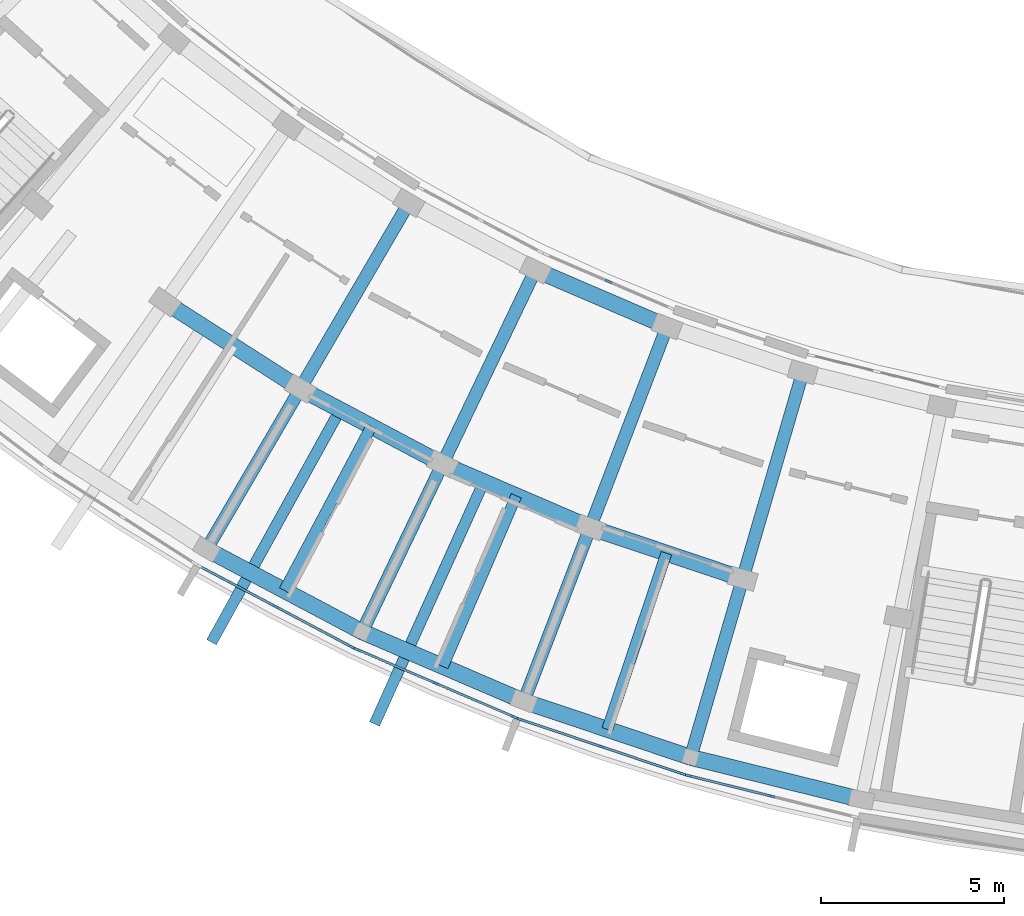
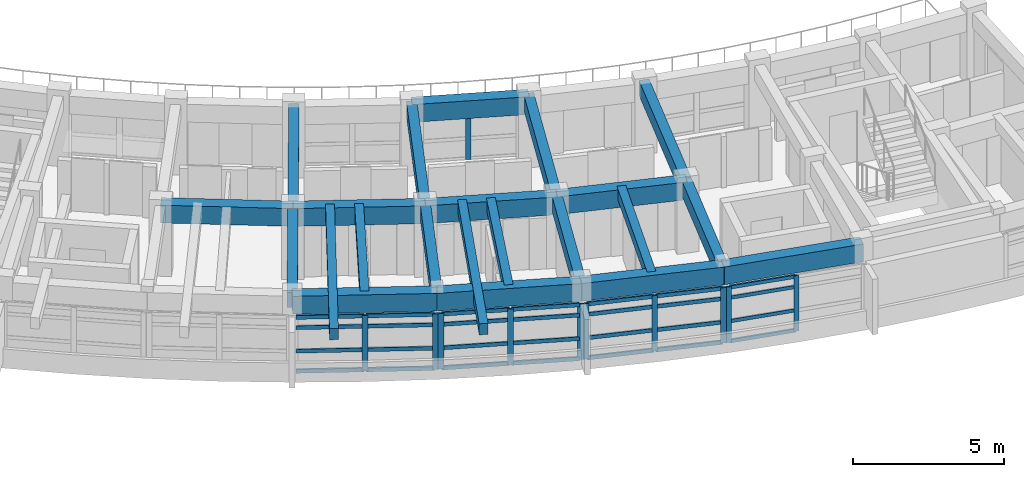
# One storey, part 11 of 54: 39 members, 22 beams, 5 elements without a shape of their own.
"""IFC4 building model written with IfcOpenShell, lengths in metres."""

import ifcopenshell
import ifcopenshell.guid

model = None  # the IFC model being written
_history = None  # IfcOwnerHistory: only IFC2X3 demands one
_inside = {}  # id of a spatial element -> (the spatial element, [elements in it])
_under = {}  # id of a project, library or spatial element -> (it, [spatial elements below it])
_declared = {}  # id of a project -> (the project, [libraries it declares])
_typed = {}  # id of a type object -> (the type object, [elements of that type])
_made_of = {}  # id of a material, layer set ... -> (it, [elements and type objects made of it])


def new_model(schema):
    """Start an empty IFC model of exactly this schema.

    Asked for "IFC4X3", IfcOpenShell would pick the latest addendum, in which some entities
    have other attributes; the version numbers below select the first issue.
    IFC2X3 requires an IfcOwnerHistory on every rooted entity: one is made here for all.
    """
    global model, _history
    if schema == "IFC4X3":
        model = ifcopenshell.file(schema_version=(4, 3, 0, 0))
    else:
        model = ifcopenshell.file(schema=schema)
    _inside.clear()
    _under.clear()
    _declared.clear()
    _typed.clear()
    _made_of.clear()
    _history = None
    if model.schema == "IFC2X3":
        org = make("IfcOrganization", Name="unknown")
        user = make(
            "IfcPersonAndOrganization",
            ThePerson=make("IfcPerson", FamilyName="unknown"),
            TheOrganization=org,
        )
        app = make(
            "IfcApplication",
            ApplicationDeveloper=org,
            Version="unknown",
            ApplicationFullName="unknown",
            ApplicationIdentifier="unknown",
        )
        _history = make(
            "IfcOwnerHistory",
            OwningUser=user,
            OwningApplication=app,
            ChangeAction="ADDED",
            CreationDate=0,
        )
    return model


def make(cls, **values):
    """One entity of the class cls with the attributes given. An attribute that is None is left unset."""
    return model.create_entity(
        cls, **{name: value for name, value in values.items() if value is not None}
    )


def rooted(cls, **values):
    """An entity with a GlobalId (a new one), such as an element, a storey or a relation."""
    return make(cls, GlobalId=ifcopenshell.guid.new(), OwnerHistory=_history, **values)


def si_unit(unit_type, name, prefix=None):
    """IfcSIUnit, for example si_unit("LENGTHUNIT", "METRE", prefix="MILLI")."""
    return make("IfcSIUnit", UnitType=unit_type, Prefix=prefix, Name=name)


def assignment(units):
    """IfcUnitAssignment: the units of a project."""
    return None if units is None else make("IfcUnitAssignment", Units=units)


def point(xyz):
    """IfcCartesianPoint."""
    return None if xyz is None else make("IfcCartesianPoint", Coordinates=xyz)


def direction(xyz):
    """IfcDirection."""
    return None if xyz is None else make("IfcDirection", DirectionRatios=xyz)


def frame(location, z_axis=None, x_axis=None):
    """IfcAxis2Placement3D, a coordinate frame: its origin and axes. An axis left out is left unset."""
    return make(
        "IfcAxis2Placement3D",
        Location=point(location),
        Axis=direction(z_axis),
        RefDirection=direction(x_axis),
    )


def frame_2d(location, x_axis=None):
    """IfcAxis2Placement2D, a coordinate frame in the plane: its origin and x axis."""
    return make(
        "IfcAxis2Placement2D", Location=point(location), RefDirection=direction(x_axis)
    )


def origin():
    """The frame at (0, 0, 0) with its axes left unset."""
    return frame((0.0, 0.0, 0.0))


def origin_2d():
    """The frame at (0, 0) in the plane with its x axis left unset."""
    return frame_2d((0.0, 0.0))


def place(relative_to, where):
    """IfcLocalPlacement: puts the frame where relative to a parent placement (None: the world)."""
    return make(
        "IfcLocalPlacement", PlacementRelTo=relative_to, RelativePlacement=where
    )


def context(
    kind, dimensions, precision=None, world=None, true_north=None, identifier=None
):
    """IfcGeometricRepresentationContext, for example the 3D "Model" context."""
    return make(
        "IfcGeometricRepresentationContext",
        ContextIdentifier=identifier,
        ContextType=kind,
        CoordinateSpaceDimension=dimensions,
        Precision=precision,
        WorldCoordinateSystem=world,
        TrueNorth=true_north,
    )


def subcontext(parent, identifier, kind, view, scale=None):
    """IfcGeometricRepresentationSubContext, for example "Body" below "Model"."""
    return make(
        "IfcGeometricRepresentationSubContext",
        ContextIdentifier=identifier,
        ContextType=kind,
        ParentContext=parent,
        TargetScale=scale,
        TargetView=view,
    )


def project(units=None, contexts=None):
    """IfcProject with its units and contexts."""
    return rooted(
        "IfcProject",
        Name="project",
        RepresentationContexts=contexts,
        UnitsInContext=assignment(units),
    )


def spatial(cls, under=None, at=None, **own):
    """A site, building, storey or space (cls), placed at a placement, below another one or the project."""
    s = rooted(cls, ObjectPlacement=at, **own)
    if under is not None:
        _under.setdefault(under.id(), (under, []))[1].append(s)
    return s


def profile(cls, at=None, kind="AREA", **sizes):
    """A parametric profile (cls). Its sizes go by their IFC names, for example OverallWidth=200.0."""
    return make(cls, ProfileType=kind, Position=at, **sizes)


def rectangle(**sizes):
    """IfcRectangleProfileDef."""
    return profile("IfcRectangleProfileDef", **sizes)


def extrude(swept, where, along, depth):
    """IfcExtrudedAreaSolid: the profile swept, set in the frame where, extruded along a direction by depth."""
    return make(
        "IfcExtrudedAreaSolid",
        SweptArea=swept,
        Position=where,
        ExtrudedDirection=direction(along),
        Depth=depth,
    )


def shape(context_of_items, identifier, shape_type, items):
    """IfcShapeRepresentation: the items that make up one representation, for example the "Body"."""
    return make(
        "IfcShapeRepresentation",
        ContextOfItems=context_of_items,
        RepresentationIdentifier=identifier,
        RepresentationType=shape_type,
        Items=items,
    )


def material(Name=None, Category=None):
    """IfcMaterial."""
    return make("IfcMaterial", Name=Name, Category=Category)


def material_profile(
    of_material, cross_section, Name=None, Category=None, Priority=None
):
    """IfcMaterialProfile: a cross section and its material."""
    return make(
        "IfcMaterialProfile",
        Name=Name,
        Material=of_material,
        Profile=cross_section,
        Priority=Priority,
        Category=Category,
    )


def profile_set(profiles, Name=None, composite=None):
    """IfcMaterialProfileSet."""
    return make(
        "IfcMaterialProfileSet",
        Name=Name,
        MaterialProfiles=profiles,
        CompositeProfile=composite,
    )


def made_of(thing, what):
    """Note that an element or type object is made of a material, layer set ...; save() writes the relation."""
    if what is not None:
        _made_of.setdefault(what.id(), (what, []))[1].append(thing)
    return thing


def type_object(cls, material=None, **own):
    """A type object (cls), such as IfcWallType, which elements share."""
    return made_of(rooted(cls, **own), material)


def element(
    cls,
    number,
    at=None,
    inside=None,
    cuts=None,
    type_object=None,
    material=None,
    context=None,
    identifier="Body",
    shape_type=None,
    held_by="IfcProductDefinitionShape",
    body=None,
    shapes=None,
    **own,
):
    """One element of the class cls, such as IfcWall. Its Tag is "e" and its number.

    at: its placement. inside: the storey or other place that contains it. cuts: it is an
    opening in that element (IfcRelVoidsElement). A single representation is given by context,
    identifier, shape_type and body (its items); several are given by shapes. held_by: the class
    of the entity that holds the representations. save() writes the other relations.
    """
    e = rooted(cls, Tag="e%d" % number, ObjectPlacement=at, **own)
    if body is not None:
        shapes = [shape(context, identifier, shape_type, body)]
    if shapes is not None:
        e.Representation = make(held_by, Representations=shapes)
    if inside is not None:
        _inside.setdefault(inside.id(), (inside, []))[1].append(e)
    if cuts is not None:
        rooted(
            "IfcRelVoidsElement", RelatingBuildingElement=cuts, RelatedOpeningElement=e
        )
    if type_object is not None:
        _typed.setdefault(type_object.id(), (type_object, []))[1].append(e)
    return made_of(e, material)


def aggregate(whole, parts):
    """IfcRelAggregates: a whole, such as a stair, and the parts it consists of."""
    return rooted("IfcRelAggregates", RelatingObject=whole, RelatedObjects=parts)


def save(model, path):
    """Write the relations noted so far, then the file.

    IfcRelAggregates (storeys below a building ...), IfcRelContainedInSpatialStructure (elements
    in a storey), IfcRelDefinesByType, IfcRelAssociatesMaterial and IfcRelDeclares: one each for
    every whole, place, type object, material and project.
    """
    for whole, parts in _under.values():
        aggregate(whole, parts)
    for where, things in _inside.values():
        rooted(
            "IfcRelContainedInSpatialStructure",
            RelatedElements=things,
            RelatingStructure=where,
        )
    for kind, things in _typed.values():
        rooted("IfcRelDefinesByType", RelatedObjects=things, RelatingType=kind)
    for what, things in _made_of.values():
        rooted("IfcRelAssociatesMaterial", RelatedObjects=things, RelatingMaterial=what)
    for by, libraries in _declared.values():
        rooted("IfcRelDeclares", RelatingContext=by, RelatedDefinitions=libraries)
    model.write(path)


model = new_model("IFC4")

# Units and contexts
model_context = context("Model", 3, precision=1e-05, world=origin(), true_north=direction((0.0, 1.0)))
body_context = subcontext(model_context, "Body", "Model", "MODEL_VIEW")
ifc_project = project(units=[si_unit("LENGTHUNIT", "METRE"), si_unit("AREAUNIT", "SQUARE_METRE"), si_unit("VOLUMEUNIT", "CUBIC_METRE"), si_unit("PLANEANGLEUNIT", "RADIAN"), si_unit("MASSUNIT", "GRAM", prefix="KILO")], contexts=[model_context])

# Site, building, storey
site_placement = place(None, origin())
site = spatial("IfcSite", under=ifc_project, at=site_placement, CompositionType="ELEMENT")
building_placement = place(site_placement, origin())
building = spatial("IfcBuilding", under=site, at=building_placement, Name="Zimvara Arc Housing Community", CompositionType="ELEMENT")
storey_placement = place(building_placement, frame((0.0, 0.0, 23.60009765625)))
storey = spatial("IfcBuildingStorey", under=building, at=storey_placement, Name="L07", CompositionType="ELEMENT", Elevation=23.60009765625)

# Beams
ifc_material_1 = material(Name="Concrete C40/50", Category="concrete")
ifc_material_profile_1 = material_profile(ifc_material_1, rectangle(XDim=0.300048828125, YDim=0.449951171875, at=origin_2d()), Name="RC 300x450")
ifc_profile_set_1 = profile_set([ifc_material_profile_1], Name="Concrete C40/50")
beam_type_1 = type_object("IfcBeamType", Name="BM-RC-300x450", PredefinedType="JOIST", material=ifc_profile_set_1)
for number, where, z_axis, x_axis, name in (
    (1, (100.793212890625, 62.37060546875, 2.635009765625), (-0.46853732736, -0.883443701019, 0.0), (0.883443701019, -0.46853732736, 0.0), "bm:blkC:L07:joist:b4"),
    (2, (104.751953125, 60.473876953125, 2.635009765625), (-0.394946561353, -0.918704094731, 0.0), (0.918704094731, -0.394946561353, 0.0), "bm:blkC:L07:joist:b5"),
    (3, (108.85205078125, 58.906494140625, 2.635009765625), (-0.318622196545, -0.947881794249, 0.0), (0.947881794249, -0.318622196545, 0.0), "bm:blkC:L07:joist:b6"),
):
    element("IfcBeam", number, at=place(storey_placement, frame(where, z_axis=z_axis, x_axis=x_axis)), inside=storey, type_object=beam_type_1, Name=name, PredefinedType="JOIST", context=body_context, shape_type="SweptSolid", body=[
        extrude(rectangle(XDim=0.300048828125, YDim=0.449951171875, at=origin_2d()), origin(), (0.0, 0.0, 1.0), 5.07568359375),
    ])
for number, where, z_axis, x_axis, name in (
    (4, (99.922119140625, 62.791748046875, 2.664794921875), (-0.4843274379, -0.874886811477, 0.0), (0.874886811477, -0.4843274379, 0.0), "bm:blkC:L07:cant_out:b4"),
    (5, (103.849365234375, 60.822509765625, 2.664794921875), (-0.411355676266, -0.91147490783, 0.0), (0.91147490783, -0.411355676266, 0.0), "bm:blkC:L07:cant_out:b5"),
):
    element("IfcBeam", number, at=place(storey_placement, frame(where, z_axis=z_axis, x_axis=x_axis)), inside=storey, type_object=beam_type_1, Name=name, PredefinedType="JOIST", context=body_context, shape_type="SweptSolid", body=[
        extrude(rectangle(XDim=0.300048828125, YDim=0.449951171875, at=origin_2d()), origin(), (0.0, 0.0, 1.0), 7.219970703125),
    ])
ifc_material_2 = material(Name="Concrete C40/50", Category="concrete")
ifc_material_profile_2 = material_profile(ifc_material_2, rectangle(XDim=0.35009765625, YDim=0.60009765625, at=origin_2d()), Name="RC 350x600")
ifc_profile_set_2 = profile_set([ifc_material_profile_2], Name="Concrete C40/50")
beam_type_2 = type_object("IfcBeamType", Name="BM-RC-350x600", PredefinedType="BEAM", material=ifc_profile_set_2)
beam_1_placement = place(storey_placement, frame((101.8173828125, 68.4775390625, 2.559814453125), z_axis=(-0.504237574462, -0.863564976421, 0.0), x_axis=(0.863564976421, -0.504237574462, 0.0)))
element("IfcBeam", 6, at=beam_1_placement, inside=storey, type_object=beam_type_2, Name="bm:blkC:L07:rad:b4:r12", PredefinedType="BEAM", context=body_context, shape_type="SweptSolid", body=[
    extrude(rectangle(XDim=0.35009765625, YDim=0.60009765625, at=origin_2d()), origin(), (0.0, 0.0, 1.0), 5.8798828125),
])
beam_2_placement = place(storey_placement, frame((98.8525390625, 63.39990234375, 2.559814453125), z_axis=(-0.504196701544, -0.863588840915, 0.0), x_axis=(0.863588840915, -0.504196701544, 0.0)))
element("IfcBeam", 7, at=beam_2_placement, inside=storey, type_object=beam_type_2, Name="bm:blkC:L07:rad:b4:r23", PredefinedType="BEAM", context=body_context, shape_type="SweptSolid", body=[
    extrude(rectangle(XDim=0.35009765625, YDim=0.60009765625, at=origin_2d()), origin(), (0.0, 0.0, 1.0), 5.079833984375),
])
beam_3_placement = place(storey_placement, frame((105.2744140625, 66.644287109375, 2.559814453125), z_axis=(-0.432053349188, -0.901848048983, 0.0), x_axis=(0.901848048983, -0.432053349188, 0.0)))
element("IfcBeam", 8, at=beam_3_placement, inside=storey, type_object=beam_type_2, Name="bm:blkC:L07:rad:b5:r12", PredefinedType="BEAM", context=body_context, shape_type="SweptSolid", body=[
    extrude(rectangle(XDim=0.35009765625, YDim=0.60009765625, at=origin_2d()), origin(), (0.0, 0.0, 1.0), 5.880126953125),
])
beam_4_placement = place(storey_placement, frame((102.73388671875, 61.34130859375, 2.559814453125), z_axis=(-0.432098194978, -0.901826563091, 0.0), x_axis=(0.901826563091, -0.432098194978, 0.0)))
element("IfcBeam", 9, at=beam_4_placement, inside=storey, type_object=beam_type_2, Name="bm:blkC:L07:rad:b5:r23", PredefinedType="BEAM", context=body_context, shape_type="SweptSolid", body=[
    extrude(rectangle(XDim=0.35009765625, YDim=0.60009765625, at=origin_2d()), origin(), (0.0, 0.0, 1.0), 5.080078125),
])
beam_5_placement = place(storey_placement, frame((108.869384765625, 65.098876953125, 2.559814453125), z_axis=(-0.357036247742, -0.934090529766, 0.0), x_axis=(0.934090529766, -0.357036247742, 0.0)))
element("IfcBeam", 10, at=beam_5_placement, inside=storey, type_object=beam_type_2, Name="bm:blkC:L07:rad:b6:r12", PredefinedType="BEAM", context=body_context, shape_type="SweptSolid", body=[
    extrude(rectangle(XDim=0.35009765625, YDim=0.60009765625, at=origin_2d()), origin(), (0.0, 0.0, 1.0), 5.8798828125),
])
beam_6_placement = place(storey_placement, frame((106.77001953125, 59.6064453125, 2.559814453125), z_axis=(-0.357078271386, -0.934074466038, 0.0), x_axis=(0.934074466038, -0.357078271386, 0.0)))
element("IfcBeam", 11, at=beam_6_placement, inside=storey, type_object=beam_type_2, Name="bm:blkC:L07:rad:b6:r23", PredefinedType="BEAM", context=body_context, shape_type="SweptSolid", body=[
    extrude(rectangle(XDim=0.35009765625, YDim=0.60009765625, at=origin_2d()), origin(), (0.0, 0.0, 1.0), 5.080078125),
])
beam_7_placement = place(storey_placement, frame((112.57861328125, 63.85205078125, 2.559814453125), z_axis=(-0.27964761269, -0.960102709462, 0.0), x_axis=(0.960102709462, -0.27964761269, 0.0)))
element("IfcBeam", 12, at=beam_7_placement, inside=storey, type_object=beam_type_2, Name="bm:blkC:L07:rad:b7:r12", PredefinedType="BEAM", context=body_context, shape_type="SweptSolid", body=[
    extrude(rectangle(XDim=0.35009765625, YDim=0.60009765625, at=origin_2d()), origin(), (0.0, 0.0, 1.0), 5.8798828125),
])
beam_8_placement = place(storey_placement, frame((110.934326171875, 58.206787109375, 2.559814453125), z_axis=(-0.279693649113, -0.960089299308, 0.0), x_axis=(0.960089299308, -0.279693649113, 0.0)))
element("IfcBeam", 13, at=beam_8_placement, inside=storey, type_object=beam_type_2, Name="bm:blkC:L07:rad:b7:r23", PredefinedType="BEAM", context=body_context, shape_type="SweptSolid", body=[
    extrude(rectangle(XDim=0.35009765625, YDim=0.60009765625, at=origin_2d()), origin(), (0.0, 0.0, 1.0), 5.080078125),
])
ifc_material_3 = material(Name="Concrete C40/50", Category="concrete")
ifc_material_profile_3 = material_profile(ifc_material_3, rectangle(XDim=0.43994140625, YDim=0.719970703125, at=origin_2d()), Name="RC 440x720")
ifc_profile_set_3 = profile_set([ifc_material_profile_3], Name="Concrete C40/50")
beam_type_3 = type_object("IfcBeamType", Name="BM-RC-440x720", PredefinedType="BEAM", material=ifc_profile_set_3)
beam_9_placement = place(storey_placement, frame((105.2744140625, 66.644287109375, 2.5), z_axis=(0.918708805961, -0.394935602155, 0.0), x_axis=(0.394935602155, 0.918708805961, 0.0)))
element("IfcBeam", 14, at=beam_9_placement, inside=storey, type_object=beam_type_3, Name="bm:blkC:L07:chord:r1:b5", PredefinedType="BEAM", context=body_context, shape_type="SweptSolid", body=[
    extrude(rectangle(XDim=0.43994140625, YDim=0.719970703125, at=origin_2d()), origin(), (0.0, 0.0, 1.0), 3.9130859375),
])
beam_10_placement = place(storey_placement, frame((95.15234375, 65.76806640625, 2.5), z_axis=(0.842267363538, -0.539060004376, 0.0), x_axis=(0.539060004376, 0.842267363538, 0.0)))
element("IfcBeam", 15, at=beam_10_placement, inside=storey, type_object=beam_type_3, Name="bm:blkC:L07:chord:r2:b3", PredefinedType="BEAM", context=body_context, shape_type="SweptSolid", body=[
    extrude(rectangle(XDim=0.43994140625, YDim=0.719970703125, at=origin_2d()), origin(), (0.0, 0.0, 1.0), 4.39306640625),
])
beam_11_placement = place(storey_placement, frame((98.8525390625, 63.39990234375, 2.5), z_axis=(0.883433524437, -0.468556515162, 0.0), x_axis=(0.468556515162, 0.883433524437, 0.0)))
element("IfcBeam", 16, at=beam_11_placement, inside=storey, type_object=beam_type_3, Name="bm:blkC:L07:chord:r2:b4", PredefinedType="BEAM", context=body_context, shape_type="SweptSolid", body=[
    extrude(rectangle(XDim=0.43994140625, YDim=0.719970703125, at=origin_2d()), origin(), (0.0, 0.0, 1.0), 4.3935546875),
])
for number, where, z_axis, x_axis, name in (
    (17, (102.73388671875, 61.34130859375, 2.5), (0.918724840088, -0.394898301093, 0.0), (0.394898301093, 0.918724840088, 0.0), "bm:blkC:L07:chord:r2:b5"),
    (18, (106.77001953125, 59.6064453125, 2.5), (0.947891222174, -0.318594147665, 0.0), (0.318594147665, 0.947891222174, 0.0), "bm:blkC:L07:chord:r2:b6"),
):
    element("IfcBeam", number, at=place(storey_placement, frame(where, z_axis=z_axis, x_axis=x_axis)), inside=storey, type_object=beam_type_3, Name=name, PredefinedType="BEAM", context=body_context, shape_type="SweptSolid", body=[
        extrude(rectangle(XDim=0.43994140625, YDim=0.719970703125, at=origin_2d()), origin(), (0.0, 0.0, 1.0), 4.393310546875),
    ])
for number, where, z_axis, x_axis, name in (
    (19, (96.291259765625, 59.012939453125, 2.5), (0.883424523434, -0.468573485587, 0.0), (0.468573485587, 0.883424523434, 0.0), "bm:blkC:L07:chord:r3:b4"),
    (20, (100.538818359375, 56.760009765625, 2.5), (0.918724276228, -0.394899612901, 0.0), (0.394899612901, 0.918724276228, 0.0), "bm:blkC:L07:chord:r3:b5"),
):
    element("IfcBeam", number, at=place(storey_placement, frame(where, z_axis=z_axis, x_axis=x_axis)), inside=storey, type_object=beam_type_3, Name=name, PredefinedType="BEAM", context=body_context, shape_type="SweptSolid", body=[
        extrude(rectangle(XDim=0.43994140625, YDim=0.719970703125, at=origin_2d()), origin(), (0.0, 0.0, 1.0), 4.80810546875),
    ])
beam_12_placement = place(storey_placement, frame((104.9560546875, 54.861328125, 2.5), z_axis=(0.947877948153, -0.31863363822, 0.0), x_axis=(0.31863363822, 0.947877948153, 0.0)))
element("IfcBeam", 21, at=beam_12_placement, inside=storey, type_object=beam_type_3, Name="bm:blkC:L07:chord:r3:b6", PredefinedType="BEAM", context=body_context, shape_type="SweptSolid", body=[
    extrude(rectangle(XDim=0.43994140625, YDim=0.719970703125, at=origin_2d()), origin(), (0.0, 0.0, 1.0), 4.807861328125),
])
beam_13_placement = place(storey_placement, frame((109.513427734375, 53.329345703125, 2.5), z_axis=(0.970719165502, -0.240217196986, 0.0), x_axis=(0.240217196986, 0.970719165502, 0.0)))
element("IfcBeam", 22, at=beam_13_placement, inside=storey, type_object=beam_type_3, Name="bm:blkC:L07:chord:r3:b7", PredefinedType="BEAM", context=body_context, shape_type="SweptSolid", body=[
    extrude(rectangle(XDim=0.43994140625, YDim=0.719970703125, at=origin_2d()), origin(), (0.0, 0.0, 1.0), 4.808349609375),
])

# Curtain wall, member
ifc_material_4 = material(Name="Anodised Aluminium AW-6063", Category="aluminium")
curtain_wall_type_1 = type_object("IfcCurtainWallType", Name="CW-SYS-02", PredefinedType="USERDEFINED", material=ifc_material_4)
curtain_wall_1_placement = place(storey_placement, origin())
curtain_wall_1 = element("IfcCurtainWall", 23, at=curtain_wall_1_placement, inside=storey, type_object=curtain_wall_type_1, Name="cw:blkC:L07:in:b5", ObjectType="CURTAIN WALL", PredefinedType="USERDEFINED")
ifc_material_5 = material(Name="Anodised Aluminium AW-6063", Category="aluminium")
ifc_material_profile_4 = material_profile(ifc_material_5, rectangle(XDim=0.06494140625, YDim=0.179931640625, at=origin_2d()), Name="ALU 65x180")
ifc_profile_set_4 = profile_set([ifc_material_profile_4], Name="Anodised Aluminium AW-6063")
member_type_1 = type_object("IfcMemberType", Name="CWM-65x150", PredefinedType="MULLION", material=ifc_profile_set_4)
member_1_placement = place(storey_placement, frame((107.269287109375, 66.33056640625, 0.0), z_axis=(0.0, 0.0, 1.0), x_axis=(0.394903951674, 0.918722411261, 0.0)))
member_1 = element("IfcMember", 24, at=member_1_placement, type_object=member_type_1, Name="CW02 mullion 2", PredefinedType="MULLION", context=body_context, shape_type="SweptSolid", body=[
    extrude(rectangle(XDim=0.06494140625, YDim=0.179931640625, at=origin_2d()), origin(), (0.0, 0.0, 1.0), 2.25),
])
aggregate(curtain_wall_1, [member_1])

# Curtain wall, members
ifc_material_6 = material(Name="Anodised Aluminium AW-6063", Category="aluminium")
curtain_wall_type_2 = type_object("IfcCurtainWallType", Name="CW-SYS-04", PredefinedType="USERDEFINED", material=ifc_material_6)
curtain_wall_2_placement = place(storey_placement, origin())
curtain_wall_2 = element("IfcCurtainWall", 25, at=curtain_wall_2_placement, inside=storey, type_object=curtain_wall_type_2, Name="cw:blkC:L07:out:b7", ObjectType="CURTAIN WALL", PredefinedType="USERDEFINED")
member_2_placement = place(storey_placement, frame((109.46337890625, 52.8271484375, 0.0), z_axis=(0.0, 0.0, 1.0), x_axis=(0.240229711131, 0.970716068627, 0.0)))
member_2 = element("IfcMember", 26, at=member_2_placement, type_object=member_type_1, Name="CW04 mullion 1", PredefinedType="MULLION", context=body_context, shape_type="SweptSolid", body=[
    extrude(rectangle(XDim=0.06494140625, YDim=0.179931640625, at=origin_2d()), origin(), (0.0, 0.0, 1.0), 2.25),
])
member_3_placement = place(storey_placement, frame((111.72705078125, 52.266845703125, 0.0), z_axis=(0.0, 0.0, 1.0), x_axis=(0.240229711131, 0.970716068627, 0.0)))
member_3 = element("IfcMember", 27, at=member_3_placement, type_object=member_type_1, Name="CW04 mullion 2", PredefinedType="MULLION", context=body_context, shape_type="SweptSolid", body=[
    extrude(rectangle(XDim=0.06494140625, YDim=0.179931640625, at=origin_2d()), origin(), (0.0, 0.0, 1.0), 2.25),
])

ifc_material_7 = material(Name="Anodised Aluminium AW-6063", Category="aluminium")
curtain_wall_type_3 = type_object("IfcCurtainWallType", Name="CW-SYS-07", PredefinedType="USERDEFINED", material=ifc_material_7)
curtain_wall_3_placement = place(storey_placement, origin())
curtain_wall_3 = element("IfcCurtainWall", 28, at=curtain_wall_3_placement, inside=storey, type_object=curtain_wall_type_3, Name="cw:blkC:L07:out:b4", ObjectType="CURTAIN WALL", PredefinedType="USERDEFINED")
ifc_material_8 = material(Name="Anodised Aluminium AW-6063", Category="aluminium")
ifc_material_profile_5 = material_profile(ifc_material_8, rectangle(XDim=0.06494140625, YDim=0.195068359375, at=origin_2d()), Name="ALU 65x195")
ifc_profile_set_5 = profile_set([ifc_material_profile_5], Name="Anodised Aluminium AW-6063")
member_type_2 = type_object("IfcMemberType", Name="CWM-65x180", PredefinedType="MULLION", material=ifc_profile_set_5)
member_4_placement = place(storey_placement, frame((98.180908203125, 57.445068359375, 0.0), z_axis=(0.0, 0.0, 1.0), x_axis=(0.468546917761, 0.883438614651, 0.0)))
member_4 = element("IfcMember", 29, at=member_4_placement, type_object=member_type_2, Name="CW07 mullion 2", PredefinedType="MULLION", context=body_context, shape_type="SweptSolid", body=[
    extrude(rectangle(XDim=0.06494140625, YDim=0.195068359375, at=origin_2d()), origin(), (0.0, 0.0, 1.0), 2.25),
])
member_5_placement = place(storey_placement, frame((100.240966796875, 56.3525390625, 0.0), z_axis=(0.0, 0.0, 1.0), x_axis=(0.468546917761, 0.883438614651, 0.0)))
member_5 = element("IfcMember", 30, at=member_5_placement, type_object=member_type_2, Name="CW07 mullion 3", PredefinedType="MULLION", context=body_context, shape_type="SweptSolid", body=[
    extrude(rectangle(XDim=0.06494140625, YDim=0.195068359375, at=origin_2d()), origin(), (0.0, 0.0, 1.0), 2.25),
])

ifc_material_9 = material(Name="Anodised Aluminium AW-6063", Category="aluminium")
curtain_wall_type_4 = type_object("IfcCurtainWallType", Name="CW-SYS-01", PredefinedType="USERDEFINED", material=ifc_material_9)
curtain_wall_4_placement = place(storey_placement, origin())
curtain_wall_4 = element("IfcCurtainWall", 31, at=curtain_wall_4_placement, inside=storey, type_object=curtain_wall_type_4, Name="cw:blkC:L07:out:b5", ObjectType="CURTAIN WALL", PredefinedType="USERDEFINED")
member_6_placement = place(storey_placement, frame((100.40771484375, 56.272705078125, 0.0), z_axis=(0.0, 0.0, 1.0), x_axis=(0.394904211998, 0.918722299363, 0.0)))
member_6 = element("IfcMember", 32, at=member_6_placement, type_object=member_type_2, Name="CW01 mullion 1", PredefinedType="MULLION", context=body_context, shape_type="SweptSolid", body=[
    extrude(rectangle(XDim=0.06494140625, YDim=0.195068359375, at=origin_2d()), origin(), (0.0, 0.0, 1.0), 2.25),
])
member_7_placement = place(storey_placement, frame((102.550048828125, 55.351806640625, 0.0), z_axis=(0.0, 0.0, 1.0), x_axis=(0.394904211998, 0.918722299363, 0.0)))
member_7 = element("IfcMember", 33, at=member_7_placement, type_object=member_type_2, Name="CW01 mullion 2", PredefinedType="MULLION", context=body_context, shape_type="SweptSolid", body=[
    extrude(rectangle(XDim=0.06494140625, YDim=0.195068359375, at=origin_2d()), origin(), (0.0, 0.0, 1.0), 2.25),
])
member_8_placement = place(storey_placement, frame((104.692626953125, 54.430908203125, 0.0), z_axis=(0.0, 0.0, 1.0), x_axis=(0.394904211998, 0.918722299363, 0.0)))
member_8 = element("IfcMember", 34, at=member_8_placement, type_object=member_type_2, Name="CW01 mullion 3", PredefinedType="MULLION", context=body_context, shape_type="SweptSolid", body=[
    extrude(rectangle(XDim=0.06494140625, YDim=0.195068359375, at=origin_2d()), origin(), (0.0, 0.0, 1.0), 2.25),
])

ifc_material_10 = material(Name="Anodised Aluminium AW-6063", Category="aluminium")
curtain_wall_type_5 = type_object("IfcCurtainWallType", Name="CW-SYS-03", PredefinedType="USERDEFINED", material=ifc_material_10)
curtain_wall_5_placement = place(storey_placement, origin())
curtain_wall_5 = element("IfcCurtainWall", 35, at=curtain_wall_5_placement, inside=storey, type_object=curtain_wall_type_5, Name="cw:blkC:L07:out:b6", ObjectType="CURTAIN WALL", PredefinedType="USERDEFINED")
member_9_placement = place(storey_placement, frame((104.865234375, 54.36474609375, 0.0), z_axis=(0.0, 0.0, 1.0), x_axis=(0.318628583921, 0.947879647164, 0.0)))
member_9 = element("IfcMember", 36, at=member_9_placement, type_object=member_type_2, Name="CW03 mullion 1", PredefinedType="MULLION", context=body_context, shape_type="SweptSolid", body=[
    extrude(rectangle(XDim=0.06494140625, YDim=0.195068359375, at=origin_2d()), origin(), (0.0, 0.0, 1.0), 2.25),
])
member_10_placement = place(storey_placement, frame((107.07568359375, 53.621826171875, 0.0), z_axis=(0.0, 0.0, 1.0), x_axis=(0.318628583921, 0.947879647164, 0.0)))
member_10 = element("IfcMember", 37, at=member_10_placement, type_object=member_type_2, Name="CW03 mullion 2", PredefinedType="MULLION", context=body_context, shape_type="SweptSolid", body=[
    extrude(rectangle(XDim=0.06494140625, YDim=0.195068359375, at=origin_2d()), origin(), (0.0, 0.0, 1.0), 2.25),
])
member_11_placement = place(storey_placement, frame((109.2861328125, 52.87890625, 0.0), z_axis=(0.0, 0.0, 1.0), x_axis=(0.318628583921, 0.947879647164, 0.0)))
member_11 = element("IfcMember", 38, at=member_11_placement, type_object=member_type_2, Name="CW03 mullion 3", PredefinedType="MULLION", context=body_context, shape_type="SweptSolid", body=[
    extrude(rectangle(XDim=0.06494140625, YDim=0.195068359375, at=origin_2d()), origin(), (0.0, 0.0, 1.0), 2.25),
])

# Member
ifc_material_11 = material(Name="Anodised Aluminium AW-6063", Category="aluminium")
ifc_material_profile_6 = material_profile(ifc_material_11, rectangle(XDim=0.06494140625, YDim=0.139892578125, at=origin_2d()), Name="ALU 65x140")
ifc_profile_set_6 = profile_set([ifc_material_profile_6], Name="Anodised Aluminium AW-6063")
member_type_3 = type_object("IfcMemberType", Name="CWT-65x120", PredefinedType="USERDEFINED", material=ifc_profile_set_6)
member_12_placement = place(storey_placement, frame((109.4951171875, 52.8193359375, 0.032470703125), z_axis=(0.970703721793, -0.240279596507, 0.0), x_axis=(0.240279596507, 0.970703721793, 0.0)))
member_12 = element("IfcMember", 39, at=member_12_placement, type_object=member_type_3, Name="CW04 transom 1.1", ObjectType="TRANSOM", PredefinedType="USERDEFINED", context=body_context, shape_type="SweptSolid", body=[
    extrude(rectangle(XDim=0.06494140625, YDim=0.139892578125, at=origin_2d()), origin(), (0.0, 0.0, 1.0), 2.266845703125),
])

member_13_placement = place(storey_placement, frame((109.4951171875, 52.8193359375, 0.849853515625), z_axis=(0.970703721793, -0.240279596507, 0.0), x_axis=(0.240279596507, 0.970703721793, 0.0)))
member_13 = element("IfcMember", 40, at=member_13_placement, type_object=member_type_3, Name="CW04 transom 1.2", ObjectType="TRANSOM", PredefinedType="USERDEFINED", context=body_context, shape_type="SweptSolid", body=[
    extrude(rectangle(XDim=0.06494140625, YDim=0.139892578125, at=origin_2d()), origin(), (0.0, 0.0, 1.0), 2.266845703125),
])

member_14_placement = place(storey_placement, frame((109.4951171875, 52.8193359375, 1.7998046875), z_axis=(0.970703721793, -0.240279596507, 0.0), x_axis=(0.240279596507, 0.970703721793, 0.0)))
member_14 = element("IfcMember", 41, at=member_14_placement, type_object=member_type_3, Name="CW04 transom 1.3", ObjectType="TRANSOM", PredefinedType="USERDEFINED", context=body_context, shape_type="SweptSolid", body=[
    extrude(rectangle(XDim=0.06494140625, YDim=0.139892578125, at=origin_2d()), origin(), (0.0, 0.0, 1.0), 2.266845703125),
])

member_15_placement = place(storey_placement, frame((109.4951171875, 52.8193359375, 2.21728515625), z_axis=(0.970703721793, -0.240279596507, 0.0), x_axis=(0.240279596507, 0.970703721793, 0.0)))
member_15 = element("IfcMember", 42, at=member_15_placement, type_object=member_type_3, Name="CW04 transom 1.4", ObjectType="TRANSOM", PredefinedType="USERDEFINED", context=body_context, shape_type="SweptSolid", body=[
    extrude(rectangle(XDim=0.06494140625, YDim=0.139892578125, at=origin_2d()), origin(), (0.0, 0.0, 1.0), 2.266845703125),
])

aggregate(curtain_wall_2, [member_2, member_3, member_12, member_13, member_14, member_15])

ifc_material_12 = material(Name="Anodised Aluminium AW-6063", Category="aluminium")
ifc_material_profile_7 = material_profile(ifc_material_12, rectangle(XDim=0.06494140625, YDim=0.155029296875, at=origin_2d()), Name="ALU 65x155")
ifc_profile_set_7 = profile_set([ifc_material_profile_7], Name="Anodised Aluminium AW-6063")
member_type_4 = type_object("IfcMemberType", Name="CWT-65x140", PredefinedType="USERDEFINED", material=ifc_profile_set_7)
member_16_placement = place(storey_placement, frame((96.1494140625, 58.5224609375, 0.032470703125), z_axis=(0.883465479137, -0.468496261642, 0.0), x_axis=(0.468496261642, 0.883465479137, 0.0)))
member_16 = element("IfcMember", 43, at=member_16_placement, type_object=member_type_4, Name="CW07 transom 1.1", ObjectType="TRANSOM", PredefinedType="USERDEFINED", context=body_context, shape_type="SweptSolid", body=[
    extrude(rectangle(XDim=0.06494140625, YDim=0.155029296875, at=origin_2d()), origin(), (0.0, 0.0, 1.0), 2.266845703125),
])

member_17_placement = place(storey_placement, frame((96.1494140625, 58.5224609375, 0.849853515625), z_axis=(0.883465479137, -0.468496261642, 0.0), x_axis=(0.468496261642, 0.883465479137, 0.0)))
member_17 = element("IfcMember", 44, at=member_17_placement, type_object=member_type_4, Name="CW07 transom 1.2", ObjectType="TRANSOM", PredefinedType="USERDEFINED", context=body_context, shape_type="SweptSolid", body=[
    extrude(rectangle(XDim=0.06494140625, YDim=0.155029296875, at=origin_2d()), origin(), (0.0, 0.0, 1.0), 2.266845703125),
])

member_18_placement = place(storey_placement, frame((96.1494140625, 58.5224609375, 1.7998046875), z_axis=(0.883465479137, -0.468496261642, 0.0), x_axis=(0.468496261642, 0.883465479137, 0.0)))
member_18 = element("IfcMember", 45, at=member_18_placement, type_object=member_type_4, Name="CW07 transom 1.3", ObjectType="TRANSOM", PredefinedType="USERDEFINED", context=body_context, shape_type="SweptSolid", body=[
    extrude(rectangle(XDim=0.06494140625, YDim=0.155029296875, at=origin_2d()), origin(), (0.0, 0.0, 1.0), 2.266845703125),
])

member_19_placement = place(storey_placement, frame((96.1494140625, 58.5224609375, 2.21728515625), z_axis=(0.883465479137, -0.468496261642, 0.0), x_axis=(0.468496261642, 0.883465479137, 0.0)))
member_19 = element("IfcMember", 46, at=member_19_placement, type_object=member_type_4, Name="CW07 transom 1.4", ObjectType="TRANSOM", PredefinedType="USERDEFINED", context=body_context, shape_type="SweptSolid", body=[
    extrude(rectangle(XDim=0.06494140625, YDim=0.155029296875, at=origin_2d()), origin(), (0.0, 0.0, 1.0), 2.266845703125),
])

member_20_placement = place(storey_placement, frame((98.209716796875, 57.429931640625, 0.032470703125), z_axis=(0.883420900208, -0.468580316568, 0.0), x_axis=(0.468580316568, 0.883420900208, 0.0)))
member_20 = element("IfcMember", 47, at=member_20_placement, type_object=member_type_4, Name="CW07 transom 2.1", ObjectType="TRANSOM", PredefinedType="USERDEFINED", context=body_context, shape_type="SweptSolid", body=[
    extrude(rectangle(XDim=0.06494140625, YDim=0.155029296875, at=origin_2d()), origin(), (0.0, 0.0, 1.0), 2.266845703125),
])

member_21_placement = place(storey_placement, frame((98.209716796875, 57.429931640625, 0.849853515625), z_axis=(0.883420900208, -0.468580316568, 0.0), x_axis=(0.468580316568, 0.883420900208, 0.0)))
member_21 = element("IfcMember", 48, at=member_21_placement, type_object=member_type_4, Name="CW07 transom 2.2", ObjectType="TRANSOM", PredefinedType="USERDEFINED", context=body_context, shape_type="SweptSolid", body=[
    extrude(rectangle(XDim=0.06494140625, YDim=0.155029296875, at=origin_2d()), origin(), (0.0, 0.0, 1.0), 2.266845703125),
])

member_22_placement = place(storey_placement, frame((98.209716796875, 57.429931640625, 1.7998046875), z_axis=(0.883420900208, -0.468580316568, 0.0), x_axis=(0.468580316568, 0.883420900208, 0.0)))
member_22 = element("IfcMember", 49, at=member_22_placement, type_object=member_type_4, Name="CW07 transom 2.3", ObjectType="TRANSOM", PredefinedType="USERDEFINED", context=body_context, shape_type="SweptSolid", body=[
    extrude(rectangle(XDim=0.06494140625, YDim=0.155029296875, at=origin_2d()), origin(), (0.0, 0.0, 1.0), 2.266845703125),
])

member_23_placement = place(storey_placement, frame((98.209716796875, 57.429931640625, 2.21728515625), z_axis=(0.883420900208, -0.468580316568, 0.0), x_axis=(0.468580316568, 0.883420900208, 0.0)))
member_23 = element("IfcMember", 50, at=member_23_placement, type_object=member_type_4, Name="CW07 transom 2.4", ObjectType="TRANSOM", PredefinedType="USERDEFINED", context=body_context, shape_type="SweptSolid", body=[
    extrude(rectangle(XDim=0.06494140625, YDim=0.155029296875, at=origin_2d()), origin(), (0.0, 0.0, 1.0), 2.266845703125),
])

aggregate(curtain_wall_3, [member_4, member_5, member_16, member_17, member_18, member_19, member_20, member_21, member_22, member_23])

member_24_placement = place(storey_placement, frame((100.4375, 56.259765625, 0.032470703125), z_axis=(0.918721157939, -0.394906867444, 0.0), x_axis=(0.394906867444, 0.918721157939, 0.0)))
member_24 = element("IfcMember", 51, at=member_24_placement, type_object=member_type_4, Name="CW01 transom 1.1", ObjectType="TRANSOM", PredefinedType="USERDEFINED", context=body_context, shape_type="SweptSolid", body=[
    extrude(rectangle(XDim=0.06494140625, YDim=0.155029296875, at=origin_2d()), origin(), (0.0, 0.0, 1.0), 2.26708984375),
])

member_25_placement = place(storey_placement, frame((100.4375, 56.259765625, 0.849853515625), z_axis=(0.918721157939, -0.394906867444, 0.0), x_axis=(0.394906867444, 0.918721157939, 0.0)))
member_25 = element("IfcMember", 52, at=member_25_placement, type_object=member_type_4, Name="CW01 transom 1.2", ObjectType="TRANSOM", PredefinedType="USERDEFINED", context=body_context, shape_type="SweptSolid", body=[
    extrude(rectangle(XDim=0.06494140625, YDim=0.155029296875, at=origin_2d()), origin(), (0.0, 0.0, 1.0), 2.26708984375),
])

member_26_placement = place(storey_placement, frame((100.4375, 56.259765625, 1.7998046875), z_axis=(0.918721157939, -0.394906867444, 0.0), x_axis=(0.394906867444, 0.918721157939, 0.0)))
member_26 = element("IfcMember", 53, at=member_26_placement, type_object=member_type_4, Name="CW01 transom 1.3", ObjectType="TRANSOM", PredefinedType="USERDEFINED", context=body_context, shape_type="SweptSolid", body=[
    extrude(rectangle(XDim=0.06494140625, YDim=0.155029296875, at=origin_2d()), origin(), (0.0, 0.0, 1.0), 2.26708984375),
])

member_27_placement = place(storey_placement, frame((100.4375, 56.259765625, 2.21728515625), z_axis=(0.918721157939, -0.394906867444, 0.0), x_axis=(0.394906867444, 0.918721157939, 0.0)))
member_27 = element("IfcMember", 54, at=member_27_placement, type_object=member_type_4, Name="CW01 transom 1.4", ObjectType="TRANSOM", PredefinedType="USERDEFINED", context=body_context, shape_type="SweptSolid", body=[
    extrude(rectangle(XDim=0.06494140625, YDim=0.155029296875, at=origin_2d()), origin(), (0.0, 0.0, 1.0), 2.26708984375),
])

member_28_placement = place(storey_placement, frame((102.580078125, 55.3388671875, 0.032470703125), z_axis=(0.918704360712, -0.394945942641, 0.0), x_axis=(0.394945942641, 0.918704360712, 0.0)))
member_28 = element("IfcMember", 55, at=member_28_placement, type_object=member_type_4, Name="CW01 transom 2.1", ObjectType="TRANSOM", PredefinedType="USERDEFINED", context=body_context, shape_type="SweptSolid", body=[
    extrude(rectangle(XDim=0.06494140625, YDim=0.155029296875, at=origin_2d()), origin(), (0.0, 0.0, 1.0), 2.266845703125),
])

member_29_placement = place(storey_placement, frame((102.580078125, 55.3388671875, 0.849853515625), z_axis=(0.918704360712, -0.394945942641, 0.0), x_axis=(0.394945942641, 0.918704360712, 0.0)))
member_29 = element("IfcMember", 56, at=member_29_placement, type_object=member_type_4, Name="CW01 transom 2.2", ObjectType="TRANSOM", PredefinedType="USERDEFINED", context=body_context, shape_type="SweptSolid", body=[
    extrude(rectangle(XDim=0.06494140625, YDim=0.155029296875, at=origin_2d()), origin(), (0.0, 0.0, 1.0), 2.266845703125),
])

member_30_placement = place(storey_placement, frame((102.580078125, 55.3388671875, 1.7998046875), z_axis=(0.918704360712, -0.394945942641, 0.0), x_axis=(0.394945942641, 0.918704360712, 0.0)))
member_30 = element("IfcMember", 57, at=member_30_placement, type_object=member_type_4, Name="CW01 transom 2.3", ObjectType="TRANSOM", PredefinedType="USERDEFINED", context=body_context, shape_type="SweptSolid", body=[
    extrude(rectangle(XDim=0.06494140625, YDim=0.155029296875, at=origin_2d()), origin(), (0.0, 0.0, 1.0), 2.266845703125),
])

member_31_placement = place(storey_placement, frame((102.580078125, 55.3388671875, 2.21728515625), z_axis=(0.918704360712, -0.394945942641, 0.0), x_axis=(0.394945942641, 0.918704360712, 0.0)))
member_31 = element("IfcMember", 58, at=member_31_placement, type_object=member_type_4, Name="CW01 transom 2.4", ObjectType="TRANSOM", PredefinedType="USERDEFINED", context=body_context, shape_type="SweptSolid", body=[
    extrude(rectangle(XDim=0.06494140625, YDim=0.155029296875, at=origin_2d()), origin(), (0.0, 0.0, 1.0), 2.266845703125),
])

aggregate(curtain_wall_4, [member_6, member_7, member_8, member_24, member_25, member_26, member_27, member_28, member_29, member_30, member_31])

member_32_placement = place(storey_placement, frame((104.89599609375, 54.3544921875, 0.032470703125), z_axis=(0.947872541471, -0.318649721678, 0.0), x_axis=(0.318649721678, 0.947872541471, 0.0)))
member_32 = element("IfcMember", 59, at=member_32_placement, type_object=member_type_4, Name="CW03 transom 1.1", ObjectType="TRANSOM", PredefinedType="USERDEFINED", context=body_context, shape_type="SweptSolid", body=[
    extrude(rectangle(XDim=0.06494140625, YDim=0.155029296875, at=origin_2d()), origin(), (0.0, 0.0, 1.0), 2.26708984375),
])

member_33_placement = place(storey_placement, frame((104.89599609375, 54.3544921875, 0.849853515625), z_axis=(0.947872541471, -0.318649721678, 0.0), x_axis=(0.318649721678, 0.947872541471, 0.0)))
member_33 = element("IfcMember", 60, at=member_33_placement, type_object=member_type_4, Name="CW03 transom 1.2", ObjectType="TRANSOM", PredefinedType="USERDEFINED", context=body_context, shape_type="SweptSolid", body=[
    extrude(rectangle(XDim=0.06494140625, YDim=0.155029296875, at=origin_2d()), origin(), (0.0, 0.0, 1.0), 2.26708984375),
])

member_34_placement = place(storey_placement, frame((104.89599609375, 54.3544921875, 1.7998046875), z_axis=(0.947872541471, -0.318649721678, 0.0), x_axis=(0.318649721678, 0.947872541471, 0.0)))
member_34 = element("IfcMember", 61, at=member_34_placement, type_object=member_type_4, Name="CW03 transom 1.3", ObjectType="TRANSOM", PredefinedType="USERDEFINED", context=body_context, shape_type="SweptSolid", body=[
    extrude(rectangle(XDim=0.06494140625, YDim=0.155029296875, at=origin_2d()), origin(), (0.0, 0.0, 1.0), 2.26708984375),
])

member_35_placement = place(storey_placement, frame((104.89599609375, 54.3544921875, 2.21728515625), z_axis=(0.947872541471, -0.318649721678, 0.0), x_axis=(0.318649721678, 0.947872541471, 0.0)))
member_35 = element("IfcMember", 62, at=member_35_placement, type_object=member_type_4, Name="CW03 transom 1.4", ObjectType="TRANSOM", PredefinedType="USERDEFINED", context=body_context, shape_type="SweptSolid", body=[
    extrude(rectangle(XDim=0.06494140625, YDim=0.155029296875, at=origin_2d()), origin(), (0.0, 0.0, 1.0), 2.26708984375),
])

member_36_placement = place(storey_placement, frame((107.1064453125, 53.611572265625, 0.032470703125), z_axis=(0.947861605379, -0.318682250916, 0.0), x_axis=(0.318682250916, 0.947861605379, 0.0)))
member_36 = element("IfcMember", 63, at=member_36_placement, type_object=member_type_4, Name="CW03 transom 2.1", ObjectType="TRANSOM", PredefinedType="USERDEFINED", context=body_context, shape_type="SweptSolid", body=[
    extrude(rectangle(XDim=0.06494140625, YDim=0.155029296875, at=origin_2d()), origin(), (0.0, 0.0, 1.0), 2.266845703125),
])

member_37_placement = place(storey_placement, frame((107.1064453125, 53.611572265625, 0.849853515625), z_axis=(0.947861605379, -0.318682250916, 0.0), x_axis=(0.318682250916, 0.947861605379, 0.0)))
member_37 = element("IfcMember", 64, at=member_37_placement, type_object=member_type_4, Name="CW03 transom 2.2", ObjectType="TRANSOM", PredefinedType="USERDEFINED", context=body_context, shape_type="SweptSolid", body=[
    extrude(rectangle(XDim=0.06494140625, YDim=0.155029296875, at=origin_2d()), origin(), (0.0, 0.0, 1.0), 2.266845703125),
])

member_38_placement = place(storey_placement, frame((107.1064453125, 53.611572265625, 1.7998046875), z_axis=(0.947861605379, -0.318682250916, 0.0), x_axis=(0.318682250916, 0.947861605379, 0.0)))
member_38 = element("IfcMember", 65, at=member_38_placement, type_object=member_type_4, Name="CW03 transom 2.3", ObjectType="TRANSOM", PredefinedType="USERDEFINED", context=body_context, shape_type="SweptSolid", body=[
    extrude(rectangle(XDim=0.06494140625, YDim=0.155029296875, at=origin_2d()), origin(), (0.0, 0.0, 1.0), 2.266845703125),
])

member_39_placement = place(storey_placement, frame((107.1064453125, 53.611572265625, 2.21728515625), z_axis=(0.947861605379, -0.318682250916, 0.0), x_axis=(0.318682250916, 0.947861605379, 0.0)))
member_39 = element("IfcMember", 66, at=member_39_placement, type_object=member_type_4, Name="CW03 transom 2.4", ObjectType="TRANSOM", PredefinedType="USERDEFINED", context=body_context, shape_type="SweptSolid", body=[
    extrude(rectangle(XDim=0.06494140625, YDim=0.155029296875, at=origin_2d()), origin(), (0.0, 0.0, 1.0), 2.266845703125),
])

aggregate(curtain_wall_5, [member_9, member_10, member_11, member_32, member_33, member_34, member_35, member_36, member_37, member_38, member_39])

save(model, "model.ifc")
